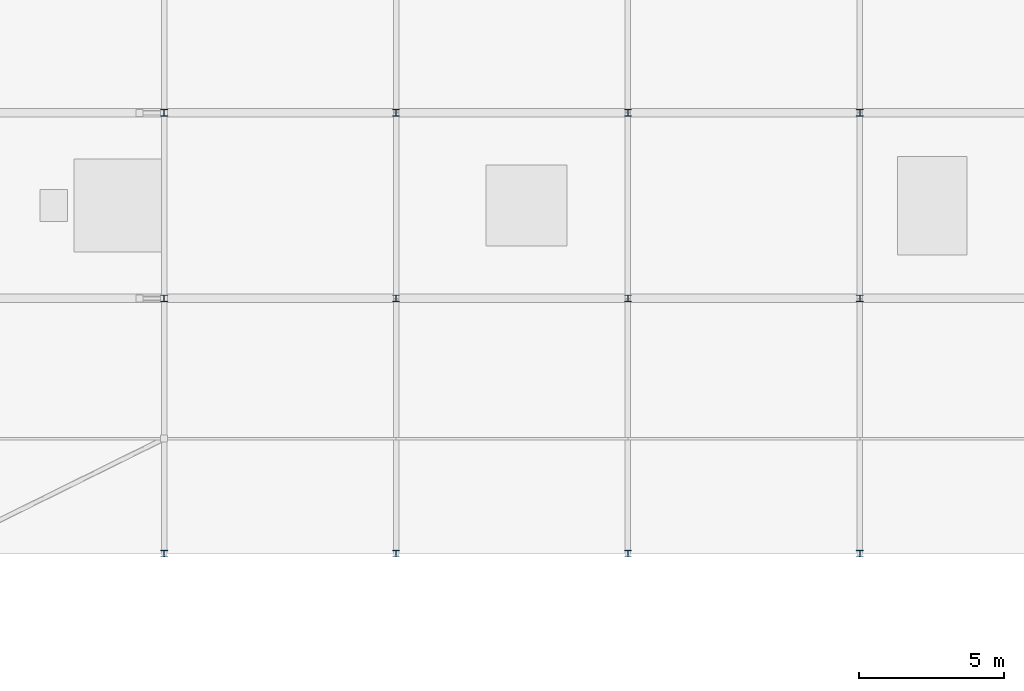
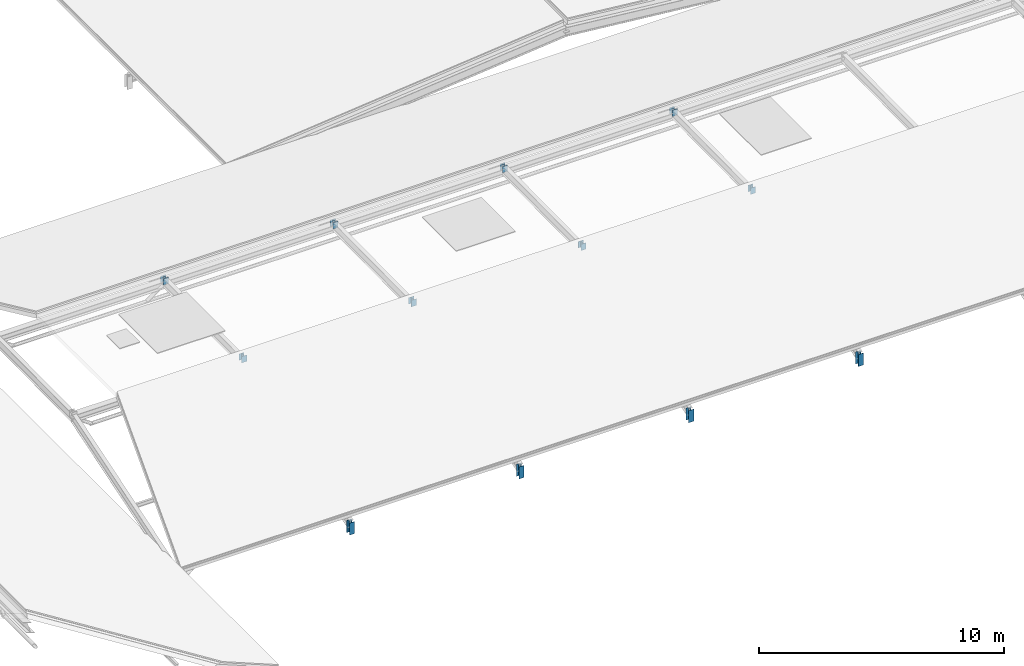
# One storey, part 20 of 54: 12 members.
"""IFC4 building model written with IfcOpenShell, lengths in metres."""

from ifc_helpers import new_model, si_unit, direction, frame, origin, origin_2d, place, context, subcontext, project, spatial, i_section, extrude, material, material_profile, profile_set, type_object, element, save


model = new_model("IFC4")

# Units and contexts
model_context = context("Model", 3, precision=1e-05, world=origin(), true_north=direction((0.0, 1.0)))
body_context = subcontext(model_context, "Body", "Model", "MODEL_VIEW")
ifc_project = project(units=[si_unit("LENGTHUNIT", "METRE"), si_unit("AREAUNIT", "SQUARE_METRE"), si_unit("VOLUMEUNIT", "CUBIC_METRE"), si_unit("PLANEANGLEUNIT", "RADIAN"), si_unit("MASSUNIT", "GRAM", prefix="KILO")], contexts=[model_context])

# Site, building, storey
site_placement = place(None, origin())
site = spatial("IfcSite", under=ifc_project, at=site_placement, CompositionType="ELEMENT")
building_placement = place(site_placement, origin())
building = spatial("IfcBuilding", under=site, at=building_placement, Name="Kenh Van Central Station", CompositionType="ELEMENT")
storey_placement = place(building_placement, frame((0.0, 0.0, 15.0)))
storey = spatial("IfcBuildingStorey", under=building, at=storey_placement, Name="L03", CompositionType="ELEMENT", Elevation=15.0)

# Members
ifc_material = material(Name="Steel S355", Category="steel")
ifc_material_profile = material_profile(ifc_material, i_section(OverallWidth=0.239990234375, OverallDepth=0.22998046875, WebThickness=0.007568359375, FlangeThickness=0.011962890625, FilletRadius=0.02099609375, at=origin_2d()), Name="HEA 240")
ifc_profile_set = profile_set([ifc_material_profile], Name="Steel S355")
member_type = type_object("IfcMemberType", Name="MEM-ROOF-POST240", PredefinedType="POST", material=ifc_profile_set)
member_1_placement = place(storey_placement, frame((56.0, 16.0, -0.949951171875), z_axis=(0.0, 0.0, 1.0), x_axis=(1.0, 0.0, 0.0)))
element("IfcMember", 1, at=member_1_placement, inside=storey, type_object=member_type, Name="L03 roof eave post 044", PredefinedType="POST", context=body_context, shape_type="SweptSolid", body=[
    extrude(i_section(OverallWidth=0.239990234375, OverallDepth=0.22998046875, WebThickness=0.007568359375, FlangeThickness=0.011962890625, FilletRadius=0.02099609375, at=origin_2d()), origin(), (0.0, 0.0, 1.0), 0.59814453125),
])
for number, where, z_axis, x_axis, name in (
    (2, (56.0, 24.800048828125, 2.29833984375), (0.0, 0.0, 1.0), (1.0, 0.0, 0.0), "L03 crown skylight post 044"),
    (3, (56.0, 31.199951171875, 2.29833984375), (0.0, 0.0, 1.0), (1.0, 0.0, 0.0), "L03 crown skylight post 044"),
):
    element("IfcMember", number, at=place(storey_placement, frame(where, z_axis=z_axis, x_axis=x_axis)), inside=storey, type_object=member_type, Name=name, PredefinedType="POST", context=body_context, shape_type="SweptSolid", body=[
        extrude(i_section(OverallWidth=0.239990234375, OverallDepth=0.22998046875, WebThickness=0.007568359375, FlangeThickness=0.011962890625, FilletRadius=0.02099609375, at=origin_2d()), origin(), (0.0, 0.0, 1.0), 0.316650390625),
    ])
member_2_placement = place(storey_placement, frame((64.0, 16.0, -0.949951171875), z_axis=(0.0, 0.0, 1.0), x_axis=(1.0, 0.0, 0.0)))
element("IfcMember", 4, at=member_2_placement, inside=storey, type_object=member_type, Name="L03 roof eave post 047", PredefinedType="POST", context=body_context, shape_type="SweptSolid", body=[
    extrude(i_section(OverallWidth=0.239990234375, OverallDepth=0.22998046875, WebThickness=0.007568359375, FlangeThickness=0.011962890625, FilletRadius=0.02099609375, at=origin_2d()), origin(), (0.0, 0.0, 1.0), 0.59814453125),
])
for number, where, z_axis, x_axis, name in (
    (5, (64.0, 24.800048828125, 2.29833984375), (0.0, 0.0, 1.0), (1.0, 0.0, 0.0), "L03 crown skylight post 047"),
    (6, (64.0, 31.199951171875, 2.29833984375), (0.0, 0.0, 1.0), (1.0, 0.0, 0.0), "L03 crown skylight post 047"),
):
    element("IfcMember", number, at=place(storey_placement, frame(where, z_axis=z_axis, x_axis=x_axis)), inside=storey, type_object=member_type, Name=name, PredefinedType="POST", context=body_context, shape_type="SweptSolid", body=[
        extrude(i_section(OverallWidth=0.239990234375, OverallDepth=0.22998046875, WebThickness=0.007568359375, FlangeThickness=0.011962890625, FilletRadius=0.02099609375, at=origin_2d()), origin(), (0.0, 0.0, 1.0), 0.316650390625),
    ])
member_3_placement = place(storey_placement, frame((72.0, 16.0, -0.949951171875), z_axis=(0.0, 0.0, 1.0), x_axis=(1.0, 0.0, 0.0)))
element("IfcMember", 7, at=member_3_placement, inside=storey, type_object=member_type, Name="L03 roof eave post 050", PredefinedType="POST", context=body_context, shape_type="SweptSolid", body=[
    extrude(i_section(OverallWidth=0.239990234375, OverallDepth=0.22998046875, WebThickness=0.007568359375, FlangeThickness=0.011962890625, FilletRadius=0.02099609375, at=origin_2d()), origin(), (0.0, 0.0, 1.0), 0.59814453125),
])
for number, where, z_axis, x_axis, name in (
    (8, (72.0, 24.800048828125, 2.29833984375), (0.0, 0.0, 1.0), (1.0, 0.0, 0.0), "L03 crown skylight post 050"),
    (9, (72.0, 31.199951171875, 2.29833984375), (0.0, 0.0, 1.0), (1.0, 0.0, 0.0), "L03 crown skylight post 050"),
):
    element("IfcMember", number, at=place(storey_placement, frame(where, z_axis=z_axis, x_axis=x_axis)), inside=storey, type_object=member_type, Name=name, PredefinedType="POST", context=body_context, shape_type="SweptSolid", body=[
        extrude(i_section(OverallWidth=0.239990234375, OverallDepth=0.22998046875, WebThickness=0.007568359375, FlangeThickness=0.011962890625, FilletRadius=0.02099609375, at=origin_2d()), origin(), (0.0, 0.0, 1.0), 0.316650390625),
    ])
member_4_placement = place(storey_placement, frame((80.0, 16.0, -0.949951171875), z_axis=(0.0, 0.0, 1.0), x_axis=(1.0, 0.0, 0.0)))
element("IfcMember", 10, at=member_4_placement, inside=storey, type_object=member_type, Name="L03 roof eave post 053", PredefinedType="POST", context=body_context, shape_type="SweptSolid", body=[
    extrude(i_section(OverallWidth=0.239990234375, OverallDepth=0.22998046875, WebThickness=0.007568359375, FlangeThickness=0.011962890625, FilletRadius=0.02099609375, at=origin_2d()), origin(), (0.0, 0.0, 1.0), 0.59814453125),
])
for number, where, z_axis, x_axis, name in (
    (11, (80.0, 24.800048828125, 2.29833984375), (0.0, 0.0, 1.0), (1.0, 0.0, 0.0), "L03 crown skylight post 053"),
    (12, (80.0, 31.199951171875, 2.29833984375), (0.0, 0.0, 1.0), (1.0, 0.0, 0.0), "L03 crown skylight post 053"),
):
    element("IfcMember", number, at=place(storey_placement, frame(where, z_axis=z_axis, x_axis=x_axis)), inside=storey, type_object=member_type, Name=name, PredefinedType="POST", context=body_context, shape_type="SweptSolid", body=[
        extrude(i_section(OverallWidth=0.239990234375, OverallDepth=0.22998046875, WebThickness=0.007568359375, FlangeThickness=0.011962890625, FilletRadius=0.02099609375, at=origin_2d()), origin(), (0.0, 0.0, 1.0), 0.316650390625),
    ])

save(model, "model.ifc")
